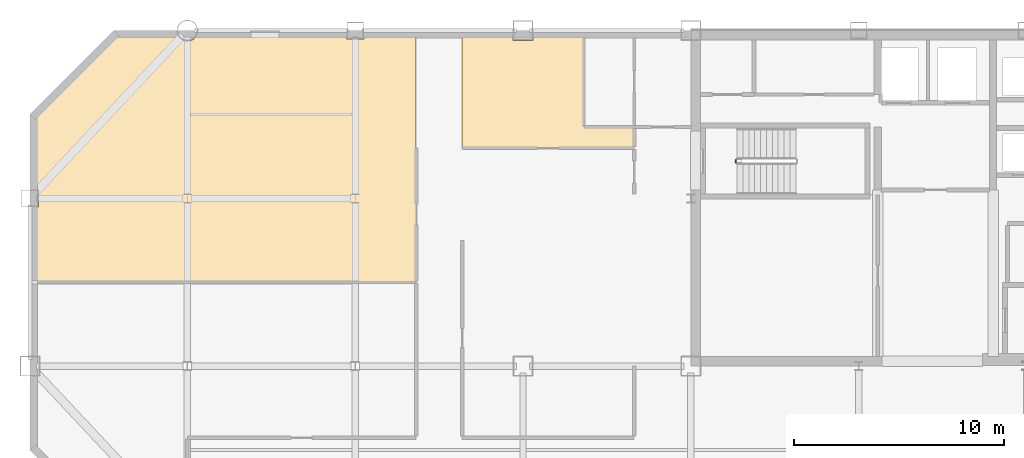
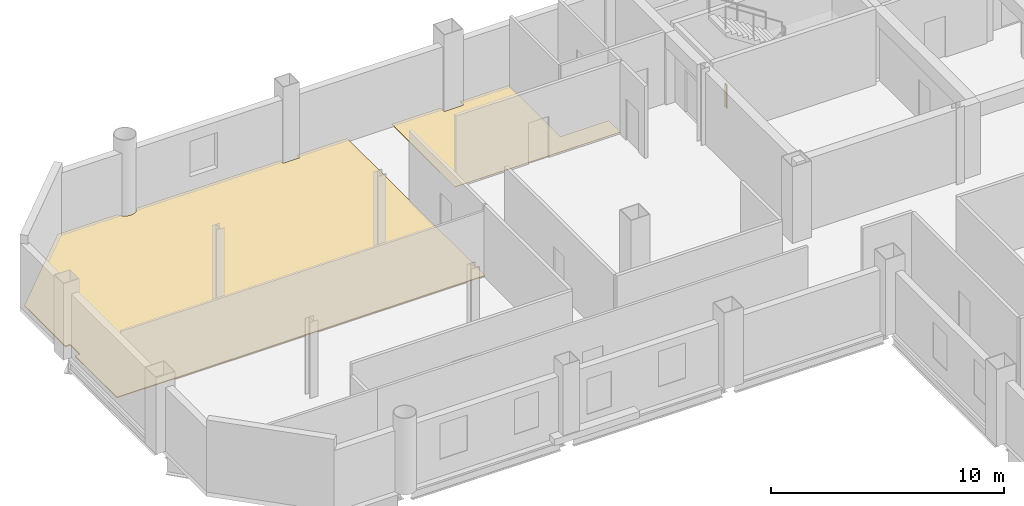
# One storey, part 9 of 10: 2 coverings, 1 railing.
"""IFC4 building model written with IfcOpenShell, lengths in metres."""

from ifc_helpers import new_model, si_unit, direction, frame, origin, origin_2d, place, context, subcontext, project, spatial, polyline, circle, outline, extrude, material, layer, layer_set, type_object, element, save


model = new_model("IFC4")

# Units and contexts
model_context = context("Model", 3, precision=1e-05, world=origin(), true_north=direction((0.0, 1.0)))
body_context = subcontext(model_context, "Body", "Model", "MODEL_VIEW")
ifc_project = project(units=[si_unit("LENGTHUNIT", "METRE"), si_unit("AREAUNIT", "SQUARE_METRE"), si_unit("VOLUMEUNIT", "CUBIC_METRE"), si_unit("PLANEANGLEUNIT", "RADIAN"), si_unit("MASSUNIT", "GRAM", prefix="KILO")], contexts=[model_context])

# Site, building, storey
site_placement = place(None, origin())
site = spatial("IfcSite", under=ifc_project, at=site_placement, CompositionType="ELEMENT")
building_placement = place(site_placement, origin())
building = spatial("IfcBuilding", under=site, at=building_placement, Name="Qianrong Seaharbour Tower", CompositionType="ELEMENT")
storey_placement = place(building_placement, frame((0.0, 0.0, 229.800048828125)))
storey = spatial("IfcBuildingStorey", under=building, at=storey_placement, Name="L55", CompositionType="ELEMENT", Elevation=229.800048828125)

# Coverings
ifc_material_1 = material(Name="Acoustic modular carpet tile flooring")
ifc_layer_1 = layer(ifc_material_1, 0.02001953125)
ifc_layer_set_1 = layer_set([ifc_layer_1], Name="Acoustic modular carpet tile flooring")
covering_type_1 = type_object("IfcCoveringType", Name="COV-FLOOR-CARPET-20", PredefinedType="FLOORING", material=ifc_layer_set_1)
covering_1_placement = place(storey_placement, origin())
element("IfcCovering", 1, at=covering_1_placement, inside=storey, type_object=covering_type_1, Name="L55 Digital Media Hall 2 Finish Flooring", PredefinedType="FLOORING", context=body_context, shape_type="SweptSolid", body=[
    extrude(outline(polyline([(32.014892578125, 51.824951171875), (32.014892578125, 51.514892578125), (32.985107421875, 51.514892578125), (32.985107421875, 51.824951171875), (35.39990234375, 51.824951171875), (35.39990234375, 47.39990234375), (37.800048828125, 47.39990234375), (37.800048828125, 46.39990234375), (29.60009765625, 46.39990234375), (29.60009765625, 51.824951171875), (32.014892578125, 51.824951171875)])), origin(), (0.0, 0.0, 1.0), 0.02001953125),
])
ifc_material_2 = material(Name="Calcium-sulphate raised access floor tile")
ifc_layer_2 = layer(ifc_material_2, 0.044921875)
ifc_layer_set_2 = layer_set([ifc_layer_2], Name="Calcium-sulphate raised access floor tile")
covering_type_2 = type_object("IfcCoveringType", Name="COV-FLOOR-RAISED-45", PredefinedType="FLOORING", material=ifc_layer_set_2)
covering_2_placement = place(storey_placement, origin())
element("IfcCovering", 2, at=covering_2_placement, inside=storey, type_object=covering_type_2, Name="L55 West Wing Open-Plan Office Finish Flooring", PredefinedType="FLOORING", context=body_context, shape_type="SweptSolid", body=[
    extrude(outline(polyline([(9.175048828125, 43.590087890625), (9.409912109375, 43.590087890625), (9.409912109375, 44.409912109375), (9.175048828125, 44.409912109375), (9.175048828125, 47.927490234375), (13.072509765625, 51.824951171875), (16.022705078125, 51.824951171875), (16.02880859375, 51.8046875), (16.075927734375, 51.716796875), (16.139404296875, 51.639404296875), (16.216796875, 51.575927734375), (16.3046875, 51.52880859375), (16.400390625, 51.499755859375), (16.5, 51.489990234375), (16.599609375, 51.499755859375), (16.6953125, 51.52880859375), (16.783203125, 51.575927734375), (16.860595703125, 51.639404296875), (16.924072265625, 51.716796875), (16.97119140625, 51.8046875), (16.977294921875, 51.824951171875), (24.090087890625, 51.824951171875), (24.090087890625, 51.590087890625), (24.909912109375, 51.590087890625), (24.909912109375, 51.824951171875), (27.39990234375, 51.824951171875), (27.39990234375, 40.0), (9.175048828125, 40.0), (9.175048828125, 43.590087890625)])), origin(), (0.0, 0.0, 1.0), 0.044921875),
])

# Railing
ifc_material_3 = material(Name="Galvanized painted steel SN400B stair guard", Category="steel")
railing_type = type_object("IfcRailingType", Name="RAIL-STAIR-GUARD-1220", PredefinedType="GUARDRAIL", material=ifc_material_3)
railing_placement = place(storey_placement, frame((42.64990234375, 45.699951171875, 0.0)))
element("IfcRailing", 3, at=railing_placement, inside=storey, type_object=railing_type, Name="L55 ST-1 stair guard 4", PredefinedType="GUARDRAIL", context=body_context, shape_type="SweptSolid", body=[
    extrude(circle(Radius=0.02392578125, at=origin_2d()), frame((0.0, 0.0, 1.19580078125), z_axis=(0.0, 1.0, 0.0), x_axis=(-1.0, 0.0, 0.0)), (0.0, 0.0, 1.0), 0.150146484375),
    extrude(circle(Radius=0.02099609375, at=origin_2d()), origin(), (0.0, 0.0, 1.0), 1.171875),
    extrude(circle(Radius=0.02099609375, at=origin_2d()), frame((0.0, 0.150146484375, 0.0)), (0.0, 0.0, 1.0), 1.171875),
])

save(model, "model.ifc")
